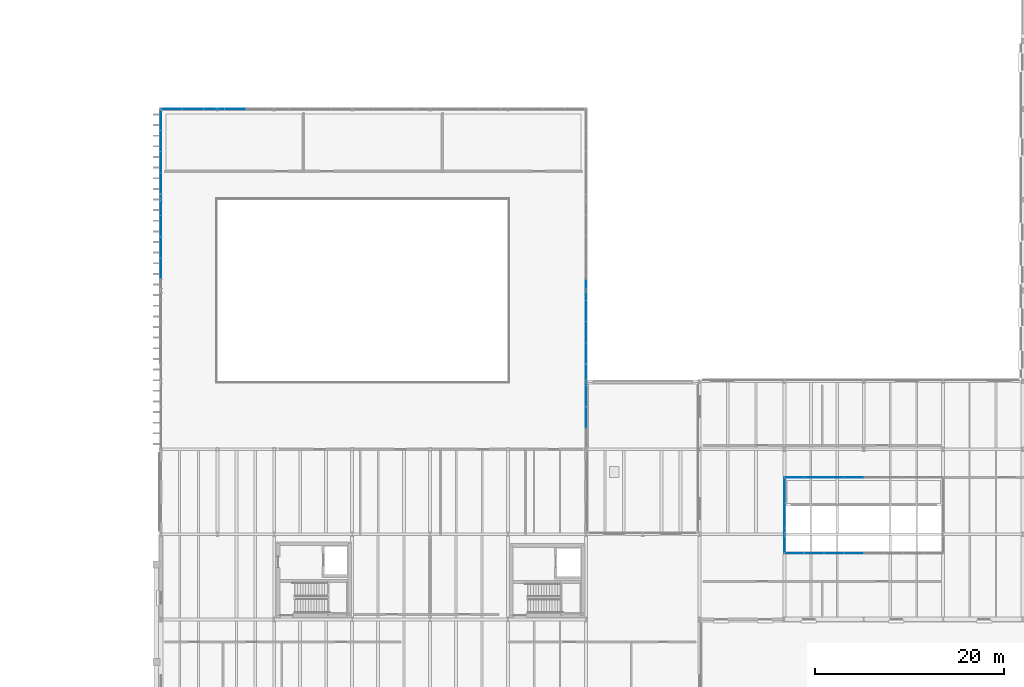
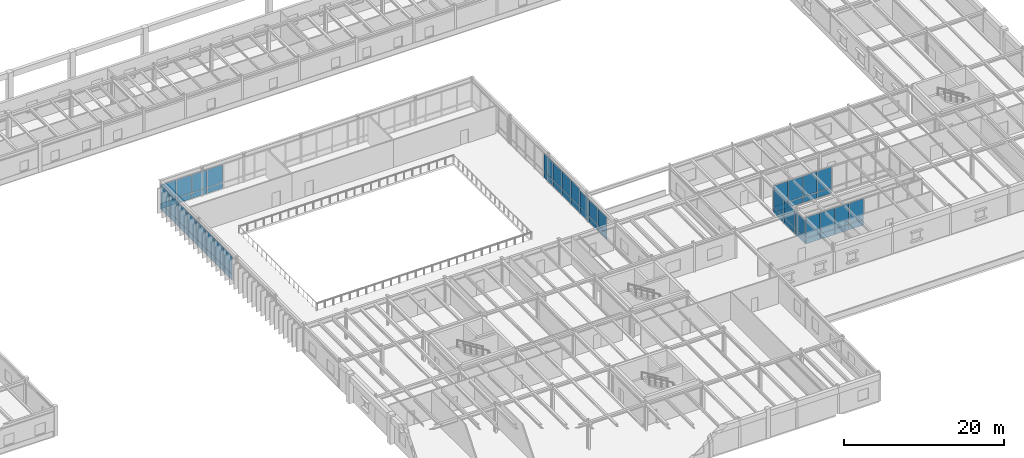
# One storey, part 36 of 64: 60 plates, 8 elements without a shape of their own.
"""IFC4 building model written with IfcOpenShell, lengths in metres."""

from ifc_helpers import new_model, si_unit, direction, frame, origin, origin_2d, place, context, subcontext, project, spatial, rectangle, extrude, material, layer, layer_set, type_object, element, aggregate, save


model = new_model("IFC4")

# Units and contexts
model_context = context("Model", 3, precision=1e-05, world=origin(), true_north=direction((0.0, 1.0)))
body_context = subcontext(model_context, "Body", "Model", "MODEL_VIEW")
ifc_project = project(units=[si_unit("LENGTHUNIT", "METRE"), si_unit("AREAUNIT", "SQUARE_METRE"), si_unit("VOLUMEUNIT", "CUBIC_METRE"), si_unit("PLANEANGLEUNIT", "RADIAN"), si_unit("MASSUNIT", "GRAM", prefix="KILO")], contexts=[model_context])

# Site, building, storey
site_placement = place(None, origin())
site = spatial("IfcSite", under=ifc_project, at=site_placement, CompositionType="ELEMENT")
building_placement = place(site_placement, origin())
building = spatial("IfcBuilding", under=site, at=building_placement, Name="Montealbar Specialist Clinic", CompositionType="ELEMENT")
storey_placement = place(building_placement, frame((0.0, 0.0, 5.10009765625)))
storey = spatial("IfcBuildingStorey", under=building, at=storey_placement, Name="L01", CompositionType="ELEMENT", Elevation=5.10009765625)

# Curtain wall, plates
ifc_material = material(Name="Low-E double glazing", Category="glass")
ifc_layer_1 = layer(ifc_material, 0.199951171875, Name="Low-E double glazing", Category="glass")
ifc_layer_set_1 = layer_set([ifc_layer_1], Name="Low-E double glazing")
curtain_wall_type_1 = type_object("IfcCurtainWallType", Name="CW-TYPE-09", PredefinedType="NOTDEFINED", material=ifc_layer_set_1)
curtain_wall_1_placement = place(storey_placement, origin())
curtain_wall_1 = element("IfcCurtainWall", 1, at=curtain_wall_1_placement, inside=storey, type_object=curtain_wall_type_1, Name="Unitised Curtain Wall CW-L01-1200-420-1200-340-51", PredefinedType="NOTDEFINED")
ifc_layer_2 = layer(ifc_material, 0.028076171875, Name="Low-E double glazing", Category="glass")
ifc_layer_set_2 = layer_set([ifc_layer_2], Name="Low-E double glazing")
plate_type_1 = type_object("IfcPlateType", Name="CW-PNL-IGU28", PredefinedType="CURTAIN_PANEL", material=ifc_layer_set_2)
plate_1_placement = place(storey_placement, frame((120.0, 40.6669921875, 0.06982421875), z_axis=(0.0, 0.0, 1.0), x_axis=(0.0, -1.0, 0.0)))
plate_1 = element("IfcPlate", 2, at=plate_1_placement, type_object=plate_type_1, Name="Glazed Curtain Panel CW-L01-1200-420-1200-340-51-1-1", PredefinedType="CURTAIN_PANEL", context=body_context, shape_type="SweptSolid", body=[
    extrude(rectangle(XDim=2.594970703125, YDim=0.028076171875, at=origin_2d()), origin(), (0.0, 0.0, 1.0), 0.85009765625),
])
plate_2_placement = place(storey_placement, frame((120.0, 40.6669921875, 0.97998046875), z_axis=(0.0, 0.0, 1.0), x_axis=(0.0, -1.0, 0.0)))
plate_2 = element("IfcPlate", 3, at=plate_2_placement, type_object=plate_type_1, Name="Glazed Curtain Panel CW-L01-1200-420-1200-340-51-1-2", PredefinedType="CURTAIN_PANEL", context=body_context, shape_type="SweptSolid", body=[
    extrude(rectangle(XDim=2.594970703125, YDim=0.028076171875, at=origin_2d()), origin(), (0.0, 0.0, 1.0), 2.6298828125),
])
plate_3_placement = place(storey_placement, frame((120.0, 38.0, 0.06982421875), z_axis=(0.0, 0.0, 1.0), x_axis=(0.0, -1.0, 0.0)))
plate_3 = element("IfcPlate", 4, at=plate_3_placement, type_object=plate_type_1, Name="Glazed Curtain Panel CW-L01-1200-420-1200-340-51-2-1", PredefinedType="CURTAIN_PANEL", context=body_context, shape_type="SweptSolid", body=[
    extrude(rectangle(XDim=2.594970703125, YDim=0.028076171875, at=origin_2d()), origin(), (0.0, 0.0, 1.0), 0.85009765625),
])
plate_4_placement = place(storey_placement, frame((120.0, 38.0, 0.97998046875), z_axis=(0.0, 0.0, 1.0), x_axis=(0.0, -1.0, 0.0)))
plate_4 = element("IfcPlate", 5, at=plate_4_placement, type_object=plate_type_1, Name="Glazed Curtain Panel CW-L01-1200-420-1200-340-51-2-2", PredefinedType="CURTAIN_PANEL", context=body_context, shape_type="SweptSolid", body=[
    extrude(rectangle(XDim=2.594970703125, YDim=0.028076171875, at=origin_2d()), origin(), (0.0, 0.0, 1.0), 2.6298828125),
])
plate_5_placement = place(storey_placement, frame((120.0, 35.3330078125, 0.06982421875), z_axis=(0.0, 0.0, 1.0), x_axis=(0.0, -1.0, 0.0)))
plate_5 = element("IfcPlate", 6, at=plate_5_placement, type_object=plate_type_1, Name="Glazed Curtain Panel CW-L01-1200-420-1200-340-51-3-1", PredefinedType="CURTAIN_PANEL", context=body_context, shape_type="SweptSolid", body=[
    extrude(rectangle(XDim=2.594970703125, YDim=0.028076171875, at=origin_2d()), origin(), (0.0, 0.0, 1.0), 0.85009765625),
])
plate_6_placement = place(storey_placement, frame((120.0, 35.3330078125, 0.97998046875), z_axis=(0.0, 0.0, 1.0), x_axis=(0.0, -1.0, 0.0)))
plate_6 = element("IfcPlate", 7, at=plate_6_placement, type_object=plate_type_1, Name="Glazed Curtain Panel CW-L01-1200-420-1200-340-51-3-2", PredefinedType="CURTAIN_PANEL", context=body_context, shape_type="SweptSolid", body=[
    extrude(rectangle(XDim=2.594970703125, YDim=0.028076171875, at=origin_2d()), origin(), (0.0, 0.0, 1.0), 2.6298828125),
])
aggregate(curtain_wall_1, [plate_1, plate_2, plate_3, plate_4, plate_5, plate_6])

ifc_layer_3 = layer(ifc_material, 0.199951171875, Name="Low-E double glazing", Category="glass")
ifc_layer_set_3 = layer_set([ifc_layer_3], Name="Low-E double glazing")
curtain_wall_type_2 = type_object("IfcCurtainWallType", Name="CW-TYPE-10", PredefinedType="NOTDEFINED", material=ifc_layer_set_3)
curtain_wall_2_placement = place(storey_placement, origin())
curtain_wall_2 = element("IfcCurtainWall", 8, at=curtain_wall_2_placement, inside=storey, type_object=curtain_wall_type_2, Name="Unitised Curtain Wall CW-L01-1200-340-1284-340-51", PredefinedType="NOTDEFINED")
plate_7_placement = place(storey_placement, frame((121.050048828125, 34.0, 0.06982421875), z_axis=(0.0, 0.0, 1.0), x_axis=(1.0, 0.0, 0.0)))
plate_7 = element("IfcPlate", 9, at=plate_7_placement, type_object=plate_type_1, Name="Glazed Curtain Panel CW-L01-1200-340-1284-340-51-1-1", PredefinedType="CURTAIN_PANEL", context=body_context, shape_type="SweptSolid", body=[
    extrude(rectangle(XDim=2.028076171875, YDim=0.028076171875, at=origin_2d()), origin(), (0.0, 0.0, 1.0), 0.85009765625),
])
plate_8_placement = place(storey_placement, frame((121.050048828125, 34.0, 0.97998046875), z_axis=(0.0, 0.0, 1.0), x_axis=(1.0, 0.0, 0.0)))
plate_8 = element("IfcPlate", 10, at=plate_8_placement, type_object=plate_type_1, Name="Glazed Curtain Panel CW-L01-1200-340-1284-340-51-1-2", PredefinedType="CURTAIN_PANEL", context=body_context, shape_type="SweptSolid", body=[
    extrude(rectangle(XDim=2.028076171875, YDim=0.028076171875, at=origin_2d()), origin(), (0.0, 0.0, 1.0), 3.159912109375),
])
plate_9_placement = place(storey_placement, frame((123.14990234375, 34.0, 0.06982421875), z_axis=(0.0, 0.0, 1.0), x_axis=(1.0, 0.0, 0.0)))
plate_9 = element("IfcPlate", 11, at=plate_9_placement, type_object=plate_type_1, Name="Glazed Curtain Panel CW-L01-1200-340-1284-340-51-2-1", PredefinedType="CURTAIN_PANEL", context=body_context, shape_type="SweptSolid", body=[
    extrude(rectangle(XDim=2.028076171875, YDim=0.028076171875, at=origin_2d()), origin(), (0.0, 0.0, 1.0), 0.85009765625),
])
plate_10_placement = place(storey_placement, frame((123.14990234375, 34.0, 0.97998046875), z_axis=(0.0, 0.0, 1.0), x_axis=(1.0, 0.0, 0.0)))
plate_10 = element("IfcPlate", 12, at=plate_10_placement, type_object=plate_type_1, Name="Glazed Curtain Panel CW-L01-1200-340-1284-340-51-2-2", PredefinedType="CURTAIN_PANEL", context=body_context, shape_type="SweptSolid", body=[
    extrude(rectangle(XDim=2.028076171875, YDim=0.028076171875, at=origin_2d()), origin(), (0.0, 0.0, 1.0), 3.159912109375),
])
plate_11_placement = place(storey_placement, frame((125.25, 34.0, 0.06982421875), z_axis=(0.0, 0.0, 1.0), x_axis=(1.0, 0.0, 0.0)))
plate_11 = element("IfcPlate", 13, at=plate_11_placement, type_object=plate_type_1, Name="Glazed Curtain Panel CW-L01-1200-340-1284-340-51-3-1", PredefinedType="CURTAIN_PANEL", context=body_context, shape_type="SweptSolid", body=[
    extrude(rectangle(XDim=2.028076171875, YDim=0.028076171875, at=origin_2d()), origin(), (0.0, 0.0, 1.0), 0.85009765625),
])
plate_12_placement = place(storey_placement, frame((125.25, 34.0, 0.97998046875), z_axis=(0.0, 0.0, 1.0), x_axis=(1.0, 0.0, 0.0)))
plate_12 = element("IfcPlate", 14, at=plate_12_placement, type_object=plate_type_1, Name="Glazed Curtain Panel CW-L01-1200-340-1284-340-51-3-2", PredefinedType="CURTAIN_PANEL", context=body_context, shape_type="SweptSolid", body=[
    extrude(rectangle(XDim=2.028076171875, YDim=0.028076171875, at=origin_2d()), origin(), (0.0, 0.0, 1.0), 3.159912109375),
])
plate_13_placement = place(storey_placement, frame((127.35009765625, 34.0, 0.06982421875), z_axis=(0.0, 0.0, 1.0), x_axis=(1.0, 0.0, 0.0)))
plate_13 = element("IfcPlate", 15, at=plate_13_placement, type_object=plate_type_1, Name="Glazed Curtain Panel CW-L01-1200-340-1284-340-51-4-1", PredefinedType="CURTAIN_PANEL", context=body_context, shape_type="SweptSolid", body=[
    extrude(rectangle(XDim=2.028076171875, YDim=0.028076171875, at=origin_2d()), origin(), (0.0, 0.0, 1.0), 0.85009765625),
])
plate_14_placement = place(storey_placement, frame((127.35009765625, 34.0, 0.97998046875), z_axis=(0.0, 0.0, 1.0), x_axis=(1.0, 0.0, 0.0)))
plate_14 = element("IfcPlate", 16, at=plate_14_placement, type_object=plate_type_1, Name="Glazed Curtain Panel CW-L01-1200-340-1284-340-51-4-2", PredefinedType="CURTAIN_PANEL", context=body_context, shape_type="SweptSolid", body=[
    extrude(rectangle(XDim=2.028076171875, YDim=0.028076171875, at=origin_2d()), origin(), (0.0, 0.0, 1.0), 3.159912109375),
])
aggregate(curtain_wall_2, [plate_7, plate_8, plate_9, plate_10, plate_11, plate_12, plate_13, plate_14])

curtain_wall_3_placement = place(storey_placement, origin())
curtain_wall_3 = element("IfcCurtainWall", 17, at=curtain_wall_3_placement, inside=storey, type_object=curtain_wall_type_2, Name="Unitised Curtain Wall CW-L01-1284-420-1200-420-51", PredefinedType="NOTDEFINED")
plate_15_placement = place(storey_placement, frame((127.35009765625, 42.0, 0.06982421875), z_axis=(0.0, 0.0, 1.0), x_axis=(-1.0, 0.0, 0.0)))
plate_15 = element("IfcPlate", 18, at=plate_15_placement, type_object=plate_type_1, Name="Glazed Curtain Panel CW-L01-1284-420-1200-420-51-1-1", PredefinedType="CURTAIN_PANEL", context=body_context, shape_type="SweptSolid", body=[
    extrude(rectangle(XDim=2.028076171875, YDim=0.028076171875, at=origin_2d()), origin(), (0.0, 0.0, 1.0), 0.85009765625),
])
plate_16_placement = place(storey_placement, frame((127.35009765625, 42.0, 0.97998046875), z_axis=(0.0, 0.0, 1.0), x_axis=(-1.0, 0.0, 0.0)))
plate_16 = element("IfcPlate", 19, at=plate_16_placement, type_object=plate_type_1, Name="Glazed Curtain Panel CW-L01-1284-420-1200-420-51-1-2", PredefinedType="CURTAIN_PANEL", context=body_context, shape_type="SweptSolid", body=[
    extrude(rectangle(XDim=2.028076171875, YDim=0.028076171875, at=origin_2d()), origin(), (0.0, 0.0, 1.0), 3.159912109375),
])
plate_17_placement = place(storey_placement, frame((125.25, 42.0, 0.06982421875), z_axis=(0.0, 0.0, 1.0), x_axis=(-1.0, 0.0, 0.0)))
plate_17 = element("IfcPlate", 20, at=plate_17_placement, type_object=plate_type_1, Name="Glazed Curtain Panel CW-L01-1284-420-1200-420-51-2-1", PredefinedType="CURTAIN_PANEL", context=body_context, shape_type="SweptSolid", body=[
    extrude(rectangle(XDim=2.028076171875, YDim=0.028076171875, at=origin_2d()), origin(), (0.0, 0.0, 1.0), 0.85009765625),
])
plate_18_placement = place(storey_placement, frame((125.25, 42.0, 0.97998046875), z_axis=(0.0, 0.0, 1.0), x_axis=(-1.0, 0.0, 0.0)))
plate_18 = element("IfcPlate", 21, at=plate_18_placement, type_object=plate_type_1, Name="Glazed Curtain Panel CW-L01-1284-420-1200-420-51-2-2", PredefinedType="CURTAIN_PANEL", context=body_context, shape_type="SweptSolid", body=[
    extrude(rectangle(XDim=2.028076171875, YDim=0.028076171875, at=origin_2d()), origin(), (0.0, 0.0, 1.0), 3.159912109375),
])
plate_19_placement = place(storey_placement, frame((123.14990234375, 42.0, 0.06982421875), z_axis=(0.0, 0.0, 1.0), x_axis=(-1.0, 0.0, 0.0)))
plate_19 = element("IfcPlate", 22, at=plate_19_placement, type_object=plate_type_1, Name="Glazed Curtain Panel CW-L01-1284-420-1200-420-51-3-1", PredefinedType="CURTAIN_PANEL", context=body_context, shape_type="SweptSolid", body=[
    extrude(rectangle(XDim=2.028076171875, YDim=0.028076171875, at=origin_2d()), origin(), (0.0, 0.0, 1.0), 0.85009765625),
])
plate_20_placement = place(storey_placement, frame((123.14990234375, 42.0, 0.97998046875), z_axis=(0.0, 0.0, 1.0), x_axis=(-1.0, 0.0, 0.0)))
plate_20 = element("IfcPlate", 23, at=plate_20_placement, type_object=plate_type_1, Name="Glazed Curtain Panel CW-L01-1284-420-1200-420-51-3-2", PredefinedType="CURTAIN_PANEL", context=body_context, shape_type="SweptSolid", body=[
    extrude(rectangle(XDim=2.028076171875, YDim=0.028076171875, at=origin_2d()), origin(), (0.0, 0.0, 1.0), 3.159912109375),
])
plate_21_placement = place(storey_placement, frame((121.050048828125, 42.0, 0.06982421875), z_axis=(0.0, 0.0, 1.0), x_axis=(-1.0, 0.0, 0.0)))
plate_21 = element("IfcPlate", 24, at=plate_21_placement, type_object=plate_type_1, Name="Glazed Curtain Panel CW-L01-1284-420-1200-420-51-4-1", PredefinedType="CURTAIN_PANEL", context=body_context, shape_type="SweptSolid", body=[
    extrude(rectangle(XDim=2.028076171875, YDim=0.028076171875, at=origin_2d()), origin(), (0.0, 0.0, 1.0), 0.85009765625),
])
plate_22_placement = place(storey_placement, frame((121.050048828125, 42.0, 0.97998046875), z_axis=(0.0, 0.0, 1.0), x_axis=(-1.0, 0.0, 0.0)))
plate_22 = element("IfcPlate", 25, at=plate_22_placement, type_object=plate_type_1, Name="Glazed Curtain Panel CW-L01-1284-420-1200-420-51-4-2", PredefinedType="CURTAIN_PANEL", context=body_context, shape_type="SweptSolid", body=[
    extrude(rectangle(XDim=2.028076171875, YDim=0.028076171875, at=origin_2d()), origin(), (0.0, 0.0, 1.0), 3.159912109375),
])
aggregate(curtain_wall_3, [plate_15, plate_16, plate_17, plate_18, plate_19, plate_20, plate_21, plate_22])

ifc_layer_4 = layer(ifc_material, 0.199951171875, Name="Low-E double glazing", Category="glass")
ifc_layer_set_4 = layer_set([ifc_layer_4], Name="Low-E double glazing")
curtain_wall_type_3 = type_object("IfcCurtainWallType", Name="CW-TYPE-08", PredefinedType="NOTDEFINED", material=ifc_layer_set_4)
curtain_wall_4_placement = place(storey_placement, origin())
curtain_wall_4 = element("IfcCurtainWall", 26, at=curtain_wall_4_placement, inside=storey, type_object=curtain_wall_type_3, Name="Unitised Curtain Wall CW-L01-540-630-540-720-51", PredefinedType="NOTDEFINED")
ifc_layer_5 = layer(ifc_material, 0.048095703125, Name="Low-E double glazing", Category="glass")
ifc_layer_set_5 = layer_set([ifc_layer_5], Name="Low-E double glazing")
plate_type_2 = type_object("IfcPlateType", Name="CW-PNL-IGU48", PredefinedType="CURTAIN_PANEL", material=ifc_layer_set_5)
plate_23_placement = place(storey_placement, frame((54.0, 64.125, 0.06982421875), z_axis=(0.0, 0.0, 1.0), x_axis=(0.0, 1.0, 0.0)))
plate_23 = element("IfcPlate", 27, at=plate_23_placement, type_object=plate_type_2, Name="Glazed Curtain Panel CW-L01-540-630-540-720-51-1-1", PredefinedType="CURTAIN_PANEL", context=body_context, shape_type="SweptSolid", body=[
    extrude(rectangle(XDim=2.166015625, YDim=0.048095703125, at=origin_2d()), origin(), (0.0, 0.0, 1.0), 0.85009765625),
])
plate_24_placement = place(storey_placement, frame((54.0, 64.125, 0.97998046875), z_axis=(0.0, 0.0, 1.0), x_axis=(0.0, 1.0, 0.0)))
plate_24 = element("IfcPlate", 28, at=plate_24_placement, type_object=plate_type_2, Name="Glazed Curtain Panel CW-L01-540-630-540-720-51-1-2", PredefinedType="CURTAIN_PANEL", context=body_context, shape_type="SweptSolid", body=[
    extrude(rectangle(XDim=2.166015625, YDim=0.048095703125, at=origin_2d()), origin(), (0.0, 0.0, 1.0), 2.75),
])
plate_25_placement = place(storey_placement, frame((54.0, 66.375, 0.06982421875), z_axis=(0.0, 0.0, 1.0), x_axis=(0.0, 1.0, 0.0)))
plate_25 = element("IfcPlate", 29, at=plate_25_placement, type_object=plate_type_2, Name="Glazed Curtain Panel CW-L01-540-630-540-720-51-2-1", PredefinedType="CURTAIN_PANEL", context=body_context, shape_type="SweptSolid", body=[
    extrude(rectangle(XDim=2.166015625, YDim=0.048095703125, at=origin_2d()), origin(), (0.0, 0.0, 1.0), 0.85009765625),
])
plate_26_placement = place(storey_placement, frame((54.0, 66.375, 0.97998046875), z_axis=(0.0, 0.0, 1.0), x_axis=(0.0, 1.0, 0.0)))
plate_26 = element("IfcPlate", 30, at=plate_26_placement, type_object=plate_type_2, Name="Glazed Curtain Panel CW-L01-540-630-540-720-51-2-2", PredefinedType="CURTAIN_PANEL", context=body_context, shape_type="SweptSolid", body=[
    extrude(rectangle(XDim=2.166015625, YDim=0.048095703125, at=origin_2d()), origin(), (0.0, 0.0, 1.0), 2.75),
])
plate_27_placement = place(storey_placement, frame((54.0, 68.625, 0.06982421875), z_axis=(0.0, 0.0, 1.0), x_axis=(0.0, 1.0, 0.0)))
plate_27 = element("IfcPlate", 31, at=plate_27_placement, type_object=plate_type_2, Name="Glazed Curtain Panel CW-L01-540-630-540-720-51-3-1", PredefinedType="CURTAIN_PANEL", context=body_context, shape_type="SweptSolid", body=[
    extrude(rectangle(XDim=2.166015625, YDim=0.048095703125, at=origin_2d()), origin(), (0.0, 0.0, 1.0), 0.85009765625),
])
plate_28_placement = place(storey_placement, frame((54.0, 68.625, 0.97998046875), z_axis=(0.0, 0.0, 1.0), x_axis=(0.0, 1.0, 0.0)))
plate_28 = element("IfcPlate", 32, at=plate_28_placement, type_object=plate_type_2, Name="Glazed Curtain Panel CW-L01-540-630-540-720-51-3-2", PredefinedType="CURTAIN_PANEL", context=body_context, shape_type="SweptSolid", body=[
    extrude(rectangle(XDim=2.166015625, YDim=0.048095703125, at=origin_2d()), origin(), (0.0, 0.0, 1.0), 2.75),
])
plate_29_placement = place(storey_placement, frame((54.0, 70.875, 0.06982421875), z_axis=(0.0, 0.0, 1.0), x_axis=(0.0, 1.0, 0.0)))
plate_29 = element("IfcPlate", 33, at=plate_29_placement, type_object=plate_type_2, Name="Glazed Curtain Panel CW-L01-540-630-540-720-51-4-1", PredefinedType="CURTAIN_PANEL", context=body_context, shape_type="SweptSolid", body=[
    extrude(rectangle(XDim=2.166015625, YDim=0.048095703125, at=origin_2d()), origin(), (0.0, 0.0, 1.0), 0.85009765625),
])
plate_30_placement = place(storey_placement, frame((54.0, 70.875, 0.97998046875), z_axis=(0.0, 0.0, 1.0), x_axis=(0.0, 1.0, 0.0)))
plate_30 = element("IfcPlate", 34, at=plate_30_placement, type_object=plate_type_2, Name="Glazed Curtain Panel CW-L01-540-630-540-720-51-4-2", PredefinedType="CURTAIN_PANEL", context=body_context, shape_type="SweptSolid", body=[
    extrude(rectangle(XDim=2.166015625, YDim=0.048095703125, at=origin_2d()), origin(), (0.0, 0.0, 1.0), 2.75),
])
aggregate(curtain_wall_4, [plate_23, plate_24, plate_25, plate_26, plate_27, plate_28, plate_29, plate_30])

curtain_wall_5_placement = place(storey_placement, origin())
curtain_wall_5 = element("IfcCurtainWall", 35, at=curtain_wall_5_placement, inside=storey, type_object=curtain_wall_type_3, Name="Unitised Curtain Wall CW-L01-540-720-540-810-51", PredefinedType="NOTDEFINED")
plate_31_placement = place(storey_placement, frame((54.0, 73.125, 0.06982421875), z_axis=(0.0, 0.0, 1.0), x_axis=(0.0, 1.0, 0.0)))
plate_31 = element("IfcPlate", 36, at=plate_31_placement, type_object=plate_type_2, Name="Glazed Curtain Panel CW-L01-540-720-540-810-51-1-1", PredefinedType="CURTAIN_PANEL", context=body_context, shape_type="SweptSolid", body=[
    extrude(rectangle(XDim=2.166015625, YDim=0.048095703125, at=origin_2d()), origin(), (0.0, 0.0, 1.0), 0.85009765625),
])
plate_32_placement = place(storey_placement, frame((54.0, 73.125, 0.97998046875), z_axis=(0.0, 0.0, 1.0), x_axis=(0.0, 1.0, 0.0)))
plate_32 = element("IfcPlate", 37, at=plate_32_placement, type_object=plate_type_2, Name="Glazed Curtain Panel CW-L01-540-720-540-810-51-1-2", PredefinedType="CURTAIN_PANEL", context=body_context, shape_type="SweptSolid", body=[
    extrude(rectangle(XDim=2.166015625, YDim=0.048095703125, at=origin_2d()), origin(), (0.0, 0.0, 1.0), 2.75),
])
plate_33_placement = place(storey_placement, frame((54.0, 75.375, 0.06982421875), z_axis=(0.0, 0.0, 1.0), x_axis=(0.0, 1.0, 0.0)))
plate_33 = element("IfcPlate", 38, at=plate_33_placement, type_object=plate_type_2, Name="Glazed Curtain Panel CW-L01-540-720-540-810-51-2-1", PredefinedType="CURTAIN_PANEL", context=body_context, shape_type="SweptSolid", body=[
    extrude(rectangle(XDim=2.166015625, YDim=0.048095703125, at=origin_2d()), origin(), (0.0, 0.0, 1.0), 0.85009765625),
])
plate_34_placement = place(storey_placement, frame((54.0, 75.375, 0.97998046875), z_axis=(0.0, 0.0, 1.0), x_axis=(0.0, 1.0, 0.0)))
plate_34 = element("IfcPlate", 39, at=plate_34_placement, type_object=plate_type_2, Name="Glazed Curtain Panel CW-L01-540-720-540-810-51-2-2", PredefinedType="CURTAIN_PANEL", context=body_context, shape_type="SweptSolid", body=[
    extrude(rectangle(XDim=2.166015625, YDim=0.048095703125, at=origin_2d()), origin(), (0.0, 0.0, 1.0), 2.75),
])
plate_35_placement = place(storey_placement, frame((54.0, 77.625, 0.06982421875), z_axis=(0.0, 0.0, 1.0), x_axis=(0.0, 1.0, 0.0)))
plate_35 = element("IfcPlate", 40, at=plate_35_placement, type_object=plate_type_2, Name="Glazed Curtain Panel CW-L01-540-720-540-810-51-3-1", PredefinedType="CURTAIN_PANEL", context=body_context, shape_type="SweptSolid", body=[
    extrude(rectangle(XDim=2.166015625, YDim=0.048095703125, at=origin_2d()), origin(), (0.0, 0.0, 1.0), 0.85009765625),
])
plate_36_placement = place(storey_placement, frame((54.0, 77.625, 0.97998046875), z_axis=(0.0, 0.0, 1.0), x_axis=(0.0, 1.0, 0.0)))
plate_36 = element("IfcPlate", 41, at=plate_36_placement, type_object=plate_type_2, Name="Glazed Curtain Panel CW-L01-540-720-540-810-51-3-2", PredefinedType="CURTAIN_PANEL", context=body_context, shape_type="SweptSolid", body=[
    extrude(rectangle(XDim=2.166015625, YDim=0.048095703125, at=origin_2d()), origin(), (0.0, 0.0, 1.0), 2.75),
])
plate_37_placement = place(storey_placement, frame((54.0, 79.875, 0.06982421875), z_axis=(0.0, 0.0, 1.0), x_axis=(0.0, 1.0, 0.0)))
plate_37 = element("IfcPlate", 42, at=plate_37_placement, type_object=plate_type_2, Name="Glazed Curtain Panel CW-L01-540-720-540-810-51-4-1", PredefinedType="CURTAIN_PANEL", context=body_context, shape_type="SweptSolid", body=[
    extrude(rectangle(XDim=2.166015625, YDim=0.048095703125, at=origin_2d()), origin(), (0.0, 0.0, 1.0), 0.85009765625),
])
plate_38_placement = place(storey_placement, frame((54.0, 79.875, 0.97998046875), z_axis=(0.0, 0.0, 1.0), x_axis=(0.0, 1.0, 0.0)))
plate_38 = element("IfcPlate", 43, at=plate_38_placement, type_object=plate_type_2, Name="Glazed Curtain Panel CW-L01-540-720-540-810-51-4-2", PredefinedType="CURTAIN_PANEL", context=body_context, shape_type="SweptSolid", body=[
    extrude(rectangle(XDim=2.166015625, YDim=0.048095703125, at=origin_2d()), origin(), (0.0, 0.0, 1.0), 2.75),
])
aggregate(curtain_wall_5, [plate_31, plate_32, plate_33, plate_34, plate_35, plate_36, plate_37, plate_38])

curtain_wall_6_placement = place(storey_placement, origin())
curtain_wall_6 = element("IfcCurtainWall", 44, at=curtain_wall_6_placement, inside=storey, type_object=curtain_wall_type_3, Name="Unitised Curtain Wall CW-L01-540-810-630-810-51", PredefinedType="NOTDEFINED")
plate_39_placement = place(storey_placement, frame((55.125, 81.0, 0.06982421875), z_axis=(0.0, 0.0, 1.0), x_axis=(1.0, 0.0, 0.0)))
plate_39 = element("IfcPlate", 45, at=plate_39_placement, type_object=plate_type_2, Name="Glazed Curtain Panel CW-L01-540-810-630-810-51-1-1", PredefinedType="CURTAIN_PANEL", context=body_context, shape_type="SweptSolid", body=[
    extrude(rectangle(XDim=2.177978515625, YDim=0.048095703125, at=origin_2d()), origin(), (0.0, 0.0, 1.0), 0.85009765625),
])
plate_40_placement = place(storey_placement, frame((55.125, 81.0, 0.97998046875), z_axis=(0.0, 0.0, 1.0), x_axis=(1.0, 0.0, 0.0)))
plate_40 = element("IfcPlate", 46, at=plate_40_placement, type_object=plate_type_2, Name="Glazed Curtain Panel CW-L01-540-810-630-810-51-1-2", PredefinedType="CURTAIN_PANEL", context=body_context, shape_type="SweptSolid", body=[
    extrude(rectangle(XDim=2.177978515625, YDim=0.048095703125, at=origin_2d()), origin(), (0.0, 0.0, 1.0), 2.75),
])
plate_41_placement = place(storey_placement, frame((57.375, 81.0, 0.06982421875), z_axis=(0.0, 0.0, 1.0), x_axis=(1.0, 0.0, 0.0)))
plate_41 = element("IfcPlate", 47, at=plate_41_placement, type_object=plate_type_2, Name="Glazed Curtain Panel CW-L01-540-810-630-810-51-2-1", PredefinedType="CURTAIN_PANEL", context=body_context, shape_type="SweptSolid", body=[
    extrude(rectangle(XDim=2.177978515625, YDim=0.048095703125, at=origin_2d()), origin(), (0.0, 0.0, 1.0), 0.85009765625),
])
plate_42_placement = place(storey_placement, frame((57.375, 81.0, 0.97998046875), z_axis=(0.0, 0.0, 1.0), x_axis=(1.0, 0.0, 0.0)))
plate_42 = element("IfcPlate", 48, at=plate_42_placement, type_object=plate_type_2, Name="Glazed Curtain Panel CW-L01-540-810-630-810-51-2-2", PredefinedType="CURTAIN_PANEL", context=body_context, shape_type="SweptSolid", body=[
    extrude(rectangle(XDim=2.177978515625, YDim=0.048095703125, at=origin_2d()), origin(), (0.0, 0.0, 1.0), 2.75),
])
plate_43_placement = place(storey_placement, frame((59.625, 81.0, 0.06982421875), z_axis=(0.0, 0.0, 1.0), x_axis=(1.0, 0.0, 0.0)))
plate_43 = element("IfcPlate", 49, at=plate_43_placement, type_object=plate_type_2, Name="Glazed Curtain Panel CW-L01-540-810-630-810-51-3-1", PredefinedType="CURTAIN_PANEL", context=body_context, shape_type="SweptSolid", body=[
    extrude(rectangle(XDim=2.177978515625, YDim=0.048095703125, at=origin_2d()), origin(), (0.0, 0.0, 1.0), 0.85009765625),
])
plate_44_placement = place(storey_placement, frame((59.625, 81.0, 0.97998046875), z_axis=(0.0, 0.0, 1.0), x_axis=(1.0, 0.0, 0.0)))
plate_44 = element("IfcPlate", 50, at=plate_44_placement, type_object=plate_type_2, Name="Glazed Curtain Panel CW-L01-540-810-630-810-51-3-2", PredefinedType="CURTAIN_PANEL", context=body_context, shape_type="SweptSolid", body=[
    extrude(rectangle(XDim=2.177978515625, YDim=0.048095703125, at=origin_2d()), origin(), (0.0, 0.0, 1.0), 2.75),
])
plate_45_placement = place(storey_placement, frame((61.875, 81.0, 0.06982421875), z_axis=(0.0, 0.0, 1.0), x_axis=(1.0, 0.0, 0.0)))
plate_45 = element("IfcPlate", 51, at=plate_45_placement, type_object=plate_type_2, Name="Glazed Curtain Panel CW-L01-540-810-630-810-51-4-1", PredefinedType="CURTAIN_PANEL", context=body_context, shape_type="SweptSolid", body=[
    extrude(rectangle(XDim=2.177978515625, YDim=0.048095703125, at=origin_2d()), origin(), (0.0, 0.0, 1.0), 0.85009765625),
])
plate_46_placement = place(storey_placement, frame((61.875, 81.0, 0.97998046875), z_axis=(0.0, 0.0, 1.0), x_axis=(1.0, 0.0, 0.0)))
plate_46 = element("IfcPlate", 52, at=plate_46_placement, type_object=plate_type_2, Name="Glazed Curtain Panel CW-L01-540-810-630-810-51-4-2", PredefinedType="CURTAIN_PANEL", context=body_context, shape_type="SweptSolid", body=[
    extrude(rectangle(XDim=2.177978515625, YDim=0.048095703125, at=origin_2d()), origin(), (0.0, 0.0, 1.0), 2.75),
])
aggregate(curtain_wall_6, [plate_39, plate_40, plate_41, plate_42, plate_43, plate_44, plate_45, plate_46])

curtain_wall_7_placement = place(storey_placement, origin())
curtain_wall_7 = element("IfcCurtainWall", 53, at=curtain_wall_7_placement, inside=storey, type_object=curtain_wall_type_3, Name="Unitised Curtain Wall CW-L01-990-630-990-540-51", PredefinedType="NOTDEFINED")
plate_47_placement = place(storey_placement, frame((99.0, 61.875, 0.06982421875), z_axis=(0.0, 0.0, 1.0), x_axis=(0.0, -1.0, 0.0)))
plate_47 = element("IfcPlate", 54, at=plate_47_placement, type_object=plate_type_2, Name="Glazed Curtain Panel CW-L01-990-630-990-540-51-1-1", PredefinedType="CURTAIN_PANEL", context=body_context, shape_type="SweptSolid", body=[
    extrude(rectangle(XDim=2.177978515625, YDim=0.048095703125, at=origin_2d()), origin(), (0.0, 0.0, 1.0), 0.85009765625),
])
plate_48_placement = place(storey_placement, frame((99.0, 61.875, 0.97998046875), z_axis=(0.0, 0.0, 1.0), x_axis=(0.0, -1.0, 0.0)))
plate_48 = element("IfcPlate", 55, at=plate_48_placement, type_object=plate_type_2, Name="Glazed Curtain Panel CW-L01-990-630-990-540-51-1-2", PredefinedType="CURTAIN_PANEL", context=body_context, shape_type="SweptSolid", body=[
    extrude(rectangle(XDim=2.177978515625, YDim=0.048095703125, at=origin_2d()), origin(), (0.0, 0.0, 1.0), 2.75),
])
plate_49_placement = place(storey_placement, frame((99.0, 59.625, 0.06982421875), z_axis=(0.0, 0.0, 1.0), x_axis=(0.0, -1.0, 0.0)))
plate_49 = element("IfcPlate", 56, at=plate_49_placement, type_object=plate_type_2, Name="Glazed Curtain Panel CW-L01-990-630-990-540-51-2-1", PredefinedType="CURTAIN_PANEL", context=body_context, shape_type="SweptSolid", body=[
    extrude(rectangle(XDim=2.177978515625, YDim=0.048095703125, at=origin_2d()), origin(), (0.0, 0.0, 1.0), 0.85009765625),
])
plate_50_placement = place(storey_placement, frame((99.0, 59.625, 0.97998046875), z_axis=(0.0, 0.0, 1.0), x_axis=(0.0, -1.0, 0.0)))
plate_50 = element("IfcPlate", 57, at=plate_50_placement, type_object=plate_type_2, Name="Glazed Curtain Panel CW-L01-990-630-990-540-51-2-2", PredefinedType="CURTAIN_PANEL", context=body_context, shape_type="SweptSolid", body=[
    extrude(rectangle(XDim=2.177978515625, YDim=0.048095703125, at=origin_2d()), origin(), (0.0, 0.0, 1.0), 2.75),
])
plate_51_placement = place(storey_placement, frame((99.0, 57.375, 0.06982421875), z_axis=(0.0, 0.0, 1.0), x_axis=(0.0, -1.0, 0.0)))
plate_51 = element("IfcPlate", 58, at=plate_51_placement, type_object=plate_type_2, Name="Glazed Curtain Panel CW-L01-990-630-990-540-51-3-1", PredefinedType="CURTAIN_PANEL", context=body_context, shape_type="SweptSolid", body=[
    extrude(rectangle(XDim=2.177978515625, YDim=0.048095703125, at=origin_2d()), origin(), (0.0, 0.0, 1.0), 0.85009765625),
])
plate_52_placement = place(storey_placement, frame((99.0, 57.375, 0.97998046875), z_axis=(0.0, 0.0, 1.0), x_axis=(0.0, -1.0, 0.0)))
plate_52 = element("IfcPlate", 59, at=plate_52_placement, type_object=plate_type_2, Name="Glazed Curtain Panel CW-L01-990-630-990-540-51-3-2", PredefinedType="CURTAIN_PANEL", context=body_context, shape_type="SweptSolid", body=[
    extrude(rectangle(XDim=2.177978515625, YDim=0.048095703125, at=origin_2d()), origin(), (0.0, 0.0, 1.0), 2.75),
])
plate_53_placement = place(storey_placement, frame((99.0, 55.125, 0.06982421875), z_axis=(0.0, 0.0, 1.0), x_axis=(0.0, -1.0, 0.0)))
plate_53 = element("IfcPlate", 60, at=plate_53_placement, type_object=plate_type_2, Name="Glazed Curtain Panel CW-L01-990-630-990-540-51-4-1", PredefinedType="CURTAIN_PANEL", context=body_context, shape_type="SweptSolid", body=[
    extrude(rectangle(XDim=2.177978515625, YDim=0.048095703125, at=origin_2d()), origin(), (0.0, 0.0, 1.0), 0.85009765625),
])
plate_54_placement = place(storey_placement, frame((99.0, 55.125, 0.97998046875), z_axis=(0.0, 0.0, 1.0), x_axis=(0.0, -1.0, 0.0)))
plate_54 = element("IfcPlate", 61, at=plate_54_placement, type_object=plate_type_2, Name="Glazed Curtain Panel CW-L01-990-630-990-540-51-4-2", PredefinedType="CURTAIN_PANEL", context=body_context, shape_type="SweptSolid", body=[
    extrude(rectangle(XDim=2.177978515625, YDim=0.048095703125, at=origin_2d()), origin(), (0.0, 0.0, 1.0), 2.75),
])
aggregate(curtain_wall_7, [plate_47, plate_48, plate_49, plate_50, plate_51, plate_52, plate_53, plate_54])

ifc_layer_6 = layer(ifc_material, 0.199951171875, Name="Low-E double glazing", Category="glass")
ifc_layer_set_6 = layer_set([ifc_layer_6], Name="Low-E double glazing")
curtain_wall_type_4 = type_object("IfcCurtainWallType", Name="CW-TYPE-07", PredefinedType="NOTDEFINED", material=ifc_layer_set_6)
curtain_wall_8_placement = place(storey_placement, origin())
curtain_wall_8 = element("IfcCurtainWall", 62, at=curtain_wall_8_placement, inside=storey, type_object=curtain_wall_type_4, Name="Unitised Curtain Wall CW-L01-990-540-990-450-51", PredefinedType="NOTDEFINED")
plate_55_placement = place(storey_placement, frame((99.0, 52.875, 0.06982421875), z_axis=(0.0, 0.0, 1.0), x_axis=(0.0, -1.0, 0.0)))
plate_55 = element("IfcPlate", 63, at=plate_55_placement, type_object=plate_type_2, Name="Glazed Curtain Panel CW-L01-990-540-990-450-51-1-1", PredefinedType="CURTAIN_PANEL", context=body_context, shape_type="SweptSolid", body=[
    extrude(rectangle(XDim=2.177978515625, YDim=0.048095703125, at=origin_2d()), origin(), (0.0, 0.0, 1.0), 0.85009765625),
])
plate_56_placement = place(storey_placement, frame((99.0, 52.875, 0.97998046875), z_axis=(0.0, 0.0, 1.0), x_axis=(0.0, -1.0, 0.0)))
plate_56 = element("IfcPlate", 64, at=plate_56_placement, type_object=plate_type_2, Name="Glazed Curtain Panel CW-L01-990-540-990-450-51-1-2", PredefinedType="CURTAIN_PANEL", context=body_context, shape_type="SweptSolid", body=[
    extrude(rectangle(XDim=2.177978515625, YDim=0.048095703125, at=origin_2d()), origin(), (0.0, 0.0, 1.0), 2.47998046875),
])
plate_57_placement = place(storey_placement, frame((99.0, 50.625, 0.06982421875), z_axis=(0.0, 0.0, 1.0), x_axis=(0.0, -1.0, 0.0)))
plate_57 = element("IfcPlate", 65, at=plate_57_placement, type_object=plate_type_2, Name="Glazed Curtain Panel CW-L01-990-540-990-450-51-2-1", PredefinedType="CURTAIN_PANEL", context=body_context, shape_type="SweptSolid", body=[
    extrude(rectangle(XDim=2.177978515625, YDim=0.048095703125, at=origin_2d()), origin(), (0.0, 0.0, 1.0), 0.85009765625),
])
plate_58_placement = place(storey_placement, frame((99.0, 50.625, 0.97998046875), z_axis=(0.0, 0.0, 1.0), x_axis=(0.0, -1.0, 0.0)))
plate_58 = element("IfcPlate", 66, at=plate_58_placement, type_object=plate_type_2, Name="Glazed Curtain Panel CW-L01-990-540-990-450-51-2-2", PredefinedType="CURTAIN_PANEL", context=body_context, shape_type="SweptSolid", body=[
    extrude(rectangle(XDim=2.177978515625, YDim=0.048095703125, at=origin_2d()), origin(), (0.0, 0.0, 1.0), 2.47998046875),
])
plate_59_placement = place(storey_placement, frame((99.0, 48.375, 0.06982421875), z_axis=(0.0, 0.0, 1.0), x_axis=(0.0, -1.0, 0.0)))
plate_59 = element("IfcPlate", 67, at=plate_59_placement, type_object=plate_type_2, Name="Glazed Curtain Panel CW-L01-990-540-990-450-51-3-1", PredefinedType="CURTAIN_PANEL", context=body_context, shape_type="SweptSolid", body=[
    extrude(rectangle(XDim=2.177978515625, YDim=0.048095703125, at=origin_2d()), origin(), (0.0, 0.0, 1.0), 0.85009765625),
])
plate_60_placement = place(storey_placement, frame((99.0, 48.375, 0.97998046875), z_axis=(0.0, 0.0, 1.0), x_axis=(0.0, -1.0, 0.0)))
plate_60 = element("IfcPlate", 68, at=plate_60_placement, type_object=plate_type_2, Name="Glazed Curtain Panel CW-L01-990-540-990-450-51-3-2", PredefinedType="CURTAIN_PANEL", context=body_context, shape_type="SweptSolid", body=[
    extrude(rectangle(XDim=2.177978515625, YDim=0.048095703125, at=origin_2d()), origin(), (0.0, 0.0, 1.0), 2.47998046875),
])
aggregate(curtain_wall_8, [plate_55, plate_56, plate_57, plate_58, plate_59, plate_60])

save(model, "model.ifc")
